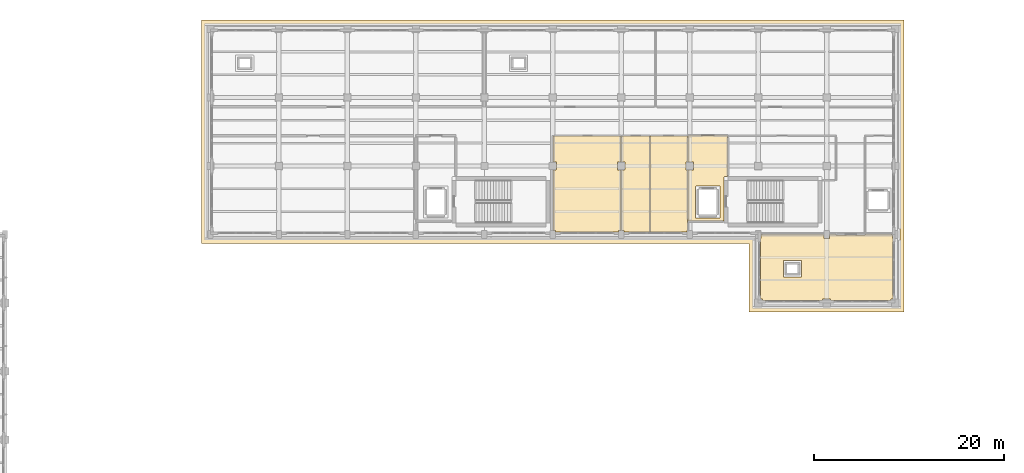
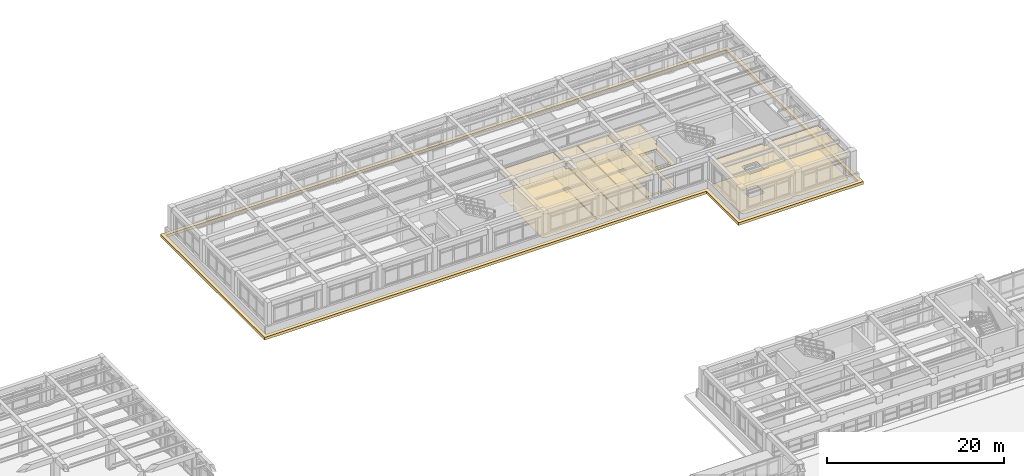
# One storey, part 66 of 67: 11 coverings.
"""IFC4 building model written with IfcOpenShell, lengths in metres."""

from ifc_helpers import new_model, si_unit, direction, frame, origin, place, context, subcontext, project, spatial, polyline, outline, extrude, material, layer, layer_set, type_object, element, save


model = new_model("IFC4")

# Units and contexts
model_context = context("Model", 3, precision=1e-05, world=origin(), true_north=direction((0.0, 1.0)))
body_context = subcontext(model_context, "Body", "Model", "MODEL_VIEW")
ifc_project = project(units=[si_unit("LENGTHUNIT", "METRE"), si_unit("AREAUNIT", "SQUARE_METRE"), si_unit("VOLUMEUNIT", "CUBIC_METRE"), si_unit("PLANEANGLEUNIT", "RADIAN"), si_unit("MASSUNIT", "GRAM", prefix="KILO")], contexts=[model_context])

# Site, building, storey
site_placement = place(None, origin())
site = spatial("IfcSite", under=ifc_project, at=site_placement, CompositionType="ELEMENT")
building_placement = place(site_placement, origin())
building = spatial("IfcBuilding", under=site, at=building_placement, Name="Solenvale Faculty of Natural Sciences", CompositionType="ELEMENT")
storey_placement = place(building_placement, frame((0.0, 0.0, 13.5)))
storey = spatial("IfcBuildingStorey", under=building, at=storey_placement, Name="L03", CompositionType="ELEMENT", Elevation=13.5)

# Coverings
ifc_material_1 = material(Name="Acoustic mineral-timber ceiling", Category="wood")
ifc_layer_1 = layer(ifc_material_1, 0.02490234375)
ifc_layer_set_1 = layer_set([ifc_layer_1], Name="Acoustic mineral-timber ceiling")
covering_type_1 = type_object("IfcCoveringType", Name="COV-CEIL-AC25", PredefinedType="CEILING", material=ifc_layer_set_1)
covering_1_placement = place(storey_placement, frame((0.0, 0.0, 3.235107421875)))
element("IfcCovering", 1, at=covering_1_placement, inside=storey, type_object=covering_type_1, Name="L03 Firefighting Lobby C5 Acoustic Ceiling", PredefinedType="CEILING", context=body_context, shape_type="SweptSolid", body=[
    extrude(outline(polyline([(133.580078125, 99.7099609375), (133.555908203125, 99.680908203125), (133.248046875, 99.679931640625), (133.219970703125, 99.652099609375), (133.212890625, 95.031005859375), (133.18994140625, 95.02001953125), (129.430908203125, 95.027099609375), (129.419921875, 95.050048828125), (129.419921875, 100.373046875), (129.447021484375, 100.39990234375), (129.998046875, 100.404052734375), (130.0, 101.18896484375), (129.989013671875, 101.199951171875), (129.447021484375, 101.199951171875), (129.4208984375, 101.22412109375), (129.419921875, 103.949951171875), (129.428955078125, 103.970947265625), (129.449951171875, 103.97998046875), (133.550048828125, 103.97998046875), (133.571044921875, 103.970947265625), (133.580078125, 103.949951171875), (133.580078125, 99.7099609375)]), holes=[polyline([(132.780029296875, 98.652099609375), (132.77001953125, 98.672119140625), (132.75, 98.679931640625), (130.25, 98.679931640625), (130.22607421875, 98.66796875), (130.219970703125, 95.35009765625), (130.23193359375, 95.325927734375), (132.75, 95.320068359375), (132.77392578125, 95.33203125), (132.780029296875, 98.652099609375)])]), origin(), (0.0, 0.0, 1.0), 0.02490234375),
])
covering_2_placement = place(storey_placement, frame((0.0, 0.0, 3.235107421875)))
element("IfcCovering", 2, at=covering_2_placement, inside=storey, type_object=covering_type_1, Name="L03 Seminar Room Acoustic Ceiling", PredefinedType="CEILING", context=body_context, shape_type="SweptSolid", body=[
    extrude(outline(polyline([(144.950927734375, 93.580078125), (145.0, 93.56005859375), (148.0, 93.56005859375), (148.049072265625, 93.580078125), (150.8701171875, 93.580078125), (150.89306640625, 93.569091796875), (150.89990234375, 93.18310546875), (150.947021484375, 93.169921875), (150.9599609375, 93.14501953125), (150.9599609375, 86.85498046875), (150.93603515625, 86.825927734375), (150.778076171875, 86.822021484375), (150.77490234375, 86.6669921875), (150.763916015625, 86.64697265625), (144.455078125, 86.639892578125), (144.426025390625, 86.6640625), (144.4169921875, 86.824951171875), (143.5859375, 86.824951171875), (143.574951171875, 86.81591796875), (143.573974609375, 86.6640625), (143.544921875, 86.639892578125), (137.2548828125, 86.639892578125), (137.22607421875, 86.6640625), (137.221923828125, 86.822021484375), (137.06689453125, 86.824951171875), (137.047119140625, 86.8359375), (137.0400390625, 93.14501953125), (137.052978515625, 93.169921875), (137.10009765625, 93.18310546875), (137.10009765625, 93.550048828125), (137.111083984375, 93.572998046875), (143.673095703125, 93.580078125), (143.699951171875, 93.552978515625), (143.7041015625, 93.177001953125), (144.2890625, 93.175048828125), (144.300048828125, 93.18603515625), (144.300048828125, 93.552978515625), (144.31298828125, 93.574951171875), (144.950927734375, 93.580078125)]), holes=[polyline([(141.360107421875, 90.83203125), (141.35009765625, 90.85205078125), (141.330078125, 90.860107421875), (139.449951171875, 90.85205078125), (139.43994140625, 90.830078125), (139.447998046875, 89.14990234375), (139.469970703125, 89.139892578125), (141.35009765625, 89.14794921875), (141.360107421875, 89.169921875), (141.360107421875, 90.83203125)])]), origin(), (0.0, 0.0, 1.0), 0.02490234375),
])
covering_3_placement = place(storey_placement, frame((0.0, 0.0, 3.235107421875)))
element("IfcCovering", 3, at=covering_3_placement, inside=storey, type_object=covering_type_1, Name="L03 Public Washroom Acoustic Ceiling", PredefinedType="CEILING", context=body_context, shape_type="SweptSolid", body=[
    extrude(outline(polyline([(122.35009765625, 103.9599609375), (122.37109375, 103.950927734375), (122.3798828125, 103.929931640625), (122.3798828125, 101.22705078125), (122.35302734375, 101.199951171875), (122.0009765625, 101.194091796875), (122.0, 100.410888671875), (122.010986328125, 100.39990234375), (122.35302734375, 100.39990234375), (122.3798828125, 100.373046875), (122.375, 94.0380859375), (122.35302734375, 94.02490234375), (122.10400390625, 94.02294921875), (122.09912109375, 93.864013671875), (122.070068359375, 93.840087890625), (115.530029296875, 93.840087890625), (115.5009765625, 93.864013671875), (115.49609375, 94.02294921875), (115.23291015625, 94.030029296875), (115.219970703125, 94.054931640625), (115.219970703125, 100.373046875), (115.2470703125, 100.39990234375), (115.59912109375, 100.406005859375), (115.60009765625, 101.18896484375), (115.589111328125, 101.199951171875), (115.2470703125, 101.199951171875), (115.219970703125, 101.22705078125), (115.22509765625, 103.947021484375), (115.25, 103.9599609375), (122.35009765625, 103.9599609375)])), origin(), (0.0, 0.0, 1.0), 0.02490234375),
])
covering_4_placement = place(storey_placement, frame((0.0, 0.0, 3.235107421875)))
element("IfcCovering", 4, at=covering_4_placement, inside=storey, type_object=covering_type_1, Name="L03 Accessible Washroom Acoustic Ceiling", PredefinedType="CEILING", context=body_context, shape_type="SweptSolid", body=[
    extrude(outline(polyline([(125.35009765625, 103.9599609375), (125.37109375, 103.950927734375), (125.3798828125, 103.929931640625), (125.37890625, 93.861083984375), (125.35009765625, 93.840087890625), (122.720947265625, 93.841064453125), (122.699951171875, 93.866943359375), (122.696044921875, 94.02294921875), (122.467041015625, 94.02490234375), (122.43994140625, 94.054931640625), (122.43994140625, 100.3701171875), (122.467041015625, 100.39990234375), (122.799072265625, 100.406005859375), (122.800048828125, 101.18896484375), (122.7890625, 101.199951171875), (122.467041015625, 101.199951171875), (122.43994140625, 101.22705078125), (122.44091796875, 103.93896484375), (122.469970703125, 103.9599609375), (125.35009765625, 103.9599609375)])), origin(), (0.0, 0.0, 1.0), 0.02490234375),
])
covering_5_placement = place(storey_placement, frame((0.0, 0.0, 3.235107421875)))
element("IfcCovering", 5, at=covering_5_placement, inside=storey, type_object=covering_type_1, Name="L03 Instrument Preparation Room Acoustic Ceiling", PredefinedType="CEILING", context=body_context, shape_type="SweptSolid", body=[
    extrude(outline(polyline([(129.330078125, 103.9599609375), (129.35107421875, 103.950927734375), (129.360107421875, 103.929931640625), (129.360107421875, 101.22998046875), (129.3359375, 101.200927734375), (129.199951171875, 101.19189453125), (129.199951171875, 100.410888671875), (129.208984375, 100.39990234375), (129.339111328125, 100.39892578125), (129.360107421875, 100.3701171875), (129.360107421875, 95.0), (129.3798828125, 94.950927734375), (129.3779296875, 94.0439453125), (129.35888671875, 94.02587890625), (129.301025390625, 94.02001953125), (129.299072265625, 93.864013671875), (129.27294921875, 93.840087890625), (125.458984375, 93.842041015625), (125.43994140625, 93.8701171875), (125.44189453125, 103.94091796875), (125.469970703125, 103.9599609375), (129.330078125, 103.9599609375)])), origin(), (0.0, 0.0, 1.0), 0.02490234375),
])
ifc_material_2 = material(Name="Polished slate terrazzo flooring", Category="masonry")
ifc_layer_2 = layer(ifc_material_2, 0.01806640625)
ifc_layer_set_2 = layer_set([ifc_layer_2], Name="Polished slate terrazzo flooring")
covering_type_2 = type_object("IfcCoveringType", Name="COV-FLR-TRZ18", PredefinedType="FLOORING", material=ifc_layer_set_2)
covering_6_placement = place(storey_placement, origin())
element("IfcCovering", 6, at=covering_6_placement, inside=storey, type_object=covering_type_2, Name="L03 Firefighting Lobby C5 Floor Finish", PredefinedType="FLOORING", context=body_context, shape_type="SweptSolid", body=[
    extrude(outline(polyline([(133.580078125, 99.7099609375), (133.555908203125, 99.680908203125), (133.248046875, 99.679931640625), (133.219970703125, 99.652099609375), (133.212890625, 95.031005859375), (133.18994140625, 95.02001953125), (129.430908203125, 95.027099609375), (129.419921875, 95.050048828125), (129.419921875, 100.373046875), (129.447021484375, 100.39990234375), (129.998046875, 100.404052734375), (130.0, 101.18896484375), (129.989013671875, 101.199951171875), (129.447021484375, 101.199951171875), (129.4208984375, 101.22412109375), (129.419921875, 103.949951171875), (129.428955078125, 103.970947265625), (129.449951171875, 103.97998046875), (133.550048828125, 103.97998046875), (133.571044921875, 103.970947265625), (133.580078125, 103.949951171875), (133.580078125, 99.7099609375)]), holes=[polyline([(132.780029296875, 98.652099609375), (132.77001953125, 98.672119140625), (132.75, 98.679931640625), (130.25, 98.679931640625), (130.22607421875, 98.66796875), (130.219970703125, 95.35009765625), (130.23193359375, 95.325927734375), (132.75, 95.320068359375), (132.77392578125, 95.33203125), (132.780029296875, 98.652099609375)])]), origin(), (0.0, 0.0, 1.0), 0.01806640625),
])
covering_7_placement = place(storey_placement, origin())
element("IfcCovering", 7, at=covering_7_placement, inside=storey, type_object=covering_type_2, Name="L03 Seminar Room Floor Finish", PredefinedType="FLOORING", context=body_context, shape_type="SweptSolid", body=[
    extrude(outline(polyline([(144.950927734375, 93.580078125), (145.0, 93.56005859375), (148.0, 93.56005859375), (148.049072265625, 93.580078125), (150.8701171875, 93.580078125), (150.89306640625, 93.569091796875), (150.89990234375, 93.18310546875), (150.947021484375, 93.169921875), (150.9599609375, 93.14501953125), (150.9599609375, 86.85498046875), (150.93603515625, 86.825927734375), (150.778076171875, 86.822021484375), (150.77490234375, 86.6669921875), (150.763916015625, 86.64697265625), (144.455078125, 86.639892578125), (144.426025390625, 86.6640625), (144.4169921875, 86.824951171875), (143.5859375, 86.824951171875), (143.574951171875, 86.81591796875), (143.573974609375, 86.6640625), (143.544921875, 86.639892578125), (137.2548828125, 86.639892578125), (137.22607421875, 86.6640625), (137.221923828125, 86.822021484375), (137.06689453125, 86.824951171875), (137.047119140625, 86.8359375), (137.0400390625, 93.14501953125), (137.052978515625, 93.169921875), (137.10009765625, 93.18310546875), (137.10009765625, 93.550048828125), (137.111083984375, 93.572998046875), (143.673095703125, 93.580078125), (143.699951171875, 93.552978515625), (143.7041015625, 93.177001953125), (144.2890625, 93.175048828125), (144.300048828125, 93.18603515625), (144.300048828125, 93.552978515625), (144.31298828125, 93.574951171875), (144.950927734375, 93.580078125)]), holes=[polyline([(141.360107421875, 90.83203125), (141.35009765625, 90.85205078125), (141.330078125, 90.860107421875), (139.449951171875, 90.85205078125), (139.43994140625, 90.830078125), (139.447998046875, 89.14990234375), (139.469970703125, 89.139892578125), (141.35009765625, 89.14794921875), (141.360107421875, 89.169921875), (141.360107421875, 90.83203125)])]), origin(), (0.0, 0.0, 1.0), 0.01806640625),
])
covering_8_placement = place(storey_placement, origin())
element("IfcCovering", 8, at=covering_8_placement, inside=storey, type_object=covering_type_2, Name="L03 Public Washroom Floor Finish", PredefinedType="FLOORING", context=body_context, shape_type="SweptSolid", body=[
    extrude(outline(polyline([(122.35009765625, 103.9599609375), (122.37109375, 103.950927734375), (122.3798828125, 103.929931640625), (122.3798828125, 101.22705078125), (122.35302734375, 101.199951171875), (122.0009765625, 101.194091796875), (122.0, 100.410888671875), (122.010986328125, 100.39990234375), (122.35302734375, 100.39990234375), (122.3798828125, 100.373046875), (122.375, 94.0380859375), (122.35302734375, 94.02490234375), (122.10400390625, 94.02294921875), (122.09912109375, 93.864013671875), (122.070068359375, 93.840087890625), (115.530029296875, 93.840087890625), (115.5009765625, 93.864013671875), (115.49609375, 94.02294921875), (115.23291015625, 94.030029296875), (115.219970703125, 94.054931640625), (115.219970703125, 100.373046875), (115.2470703125, 100.39990234375), (115.59912109375, 100.406005859375), (115.60009765625, 101.18896484375), (115.589111328125, 101.199951171875), (115.2470703125, 101.199951171875), (115.219970703125, 101.22705078125), (115.22509765625, 103.947021484375), (115.25, 103.9599609375), (122.35009765625, 103.9599609375)])), origin(), (0.0, 0.0, 1.0), 0.01806640625),
])
covering_9_placement = place(storey_placement, origin())
element("IfcCovering", 9, at=covering_9_placement, inside=storey, type_object=covering_type_2, Name="L03 Accessible Washroom Floor Finish", PredefinedType="FLOORING", context=body_context, shape_type="SweptSolid", body=[
    extrude(outline(polyline([(125.35009765625, 103.9599609375), (125.37109375, 103.950927734375), (125.3798828125, 103.929931640625), (125.37890625, 93.861083984375), (125.35009765625, 93.840087890625), (122.720947265625, 93.841064453125), (122.699951171875, 93.866943359375), (122.696044921875, 94.02294921875), (122.467041015625, 94.02490234375), (122.43994140625, 94.054931640625), (122.43994140625, 100.3701171875), (122.467041015625, 100.39990234375), (122.799072265625, 100.406005859375), (122.800048828125, 101.18896484375), (122.7890625, 101.199951171875), (122.467041015625, 101.199951171875), (122.43994140625, 101.22705078125), (122.44091796875, 103.93896484375), (122.469970703125, 103.9599609375), (125.35009765625, 103.9599609375)])), origin(), (0.0, 0.0, 1.0), 0.01806640625),
])
covering_10_placement = place(storey_placement, origin())
element("IfcCovering", 10, at=covering_10_placement, inside=storey, type_object=covering_type_2, Name="L03 Instrument Preparation Room Floor Finish", PredefinedType="FLOORING", context=body_context, shape_type="SweptSolid", body=[
    extrude(outline(polyline([(129.330078125, 103.9599609375), (129.35107421875, 103.950927734375), (129.360107421875, 103.929931640625), (129.360107421875, 101.22998046875), (129.3359375, 101.200927734375), (129.199951171875, 101.19189453125), (129.199951171875, 100.410888671875), (129.208984375, 100.39990234375), (129.339111328125, 100.39892578125), (129.360107421875, 100.3701171875), (129.360107421875, 95.0), (129.3798828125, 94.950927734375), (129.3779296875, 94.0439453125), (129.35888671875, 94.02587890625), (129.301025390625, 94.02001953125), (129.299072265625, 93.864013671875), (129.27294921875, 93.840087890625), (125.458984375, 93.842041015625), (125.43994140625, 93.8701171875), (125.44189453125, 103.94091796875), (125.469970703125, 103.9599609375), (129.330078125, 103.9599609375)])), origin(), (0.0, 0.0, 1.0), 0.01806640625),
])
ifc_material_3 = material(Name="Insulated EPDM roofing membrane")
ifc_layer_3 = layer(ifc_material_3, 0.06494140625)
ifc_layer_set_3 = layer_set([ifc_layer_3], Name="Insulated EPDM roofing membrane")
covering_type_3 = type_object("IfcCoveringType", Name="COV-ROOF-MEMB", PredefinedType="ROOFING", material=ifc_layer_set_3)
covering_11_placement = place(storey_placement, frame((0.0, 0.0, -0.340087890625)))
element("IfcCovering", 11, at=covering_11_placement, inside=storey, type_object=covering_type_3, Name="L03 Projecting Horizontal Bronze Concrete Tray Ledge 3", PredefinedType="CLADDING", context=body_context, shape_type="SweptSolid", body=[
    extrude(outline(polyline([(78.25, 116.1298828125), (78.256103515625, 116.14404296875), (78.27001953125, 116.14990234375), (152.137939453125, 116.14794921875), (152.14990234375, 116.1298828125), (152.14794921875, 85.4619140625), (152.1298828125, 85.449951171875), (135.862060546875, 85.451904296875), (135.85009765625, 85.469970703125), (135.85009765625, 92.64990234375), (78.261962890625, 92.652099609375), (78.25, 92.669921875), (78.25, 116.1298828125)]), holes=[polyline([(78.719970703125, 93.1201171875), (136.302001953125, 93.1201171875), (136.31396484375, 93.114013671875), (136.320068359375, 93.10009765625), (136.320068359375, 85.919921875), (151.679931640625, 85.919921875), (151.679931640625, 115.679931640625), (78.719970703125, 115.679931640625), (78.719970703125, 93.1201171875)])]), origin(), (0.0, 0.0, 1.0), 0.380126953125),
])

save(model, "model.ifc")
